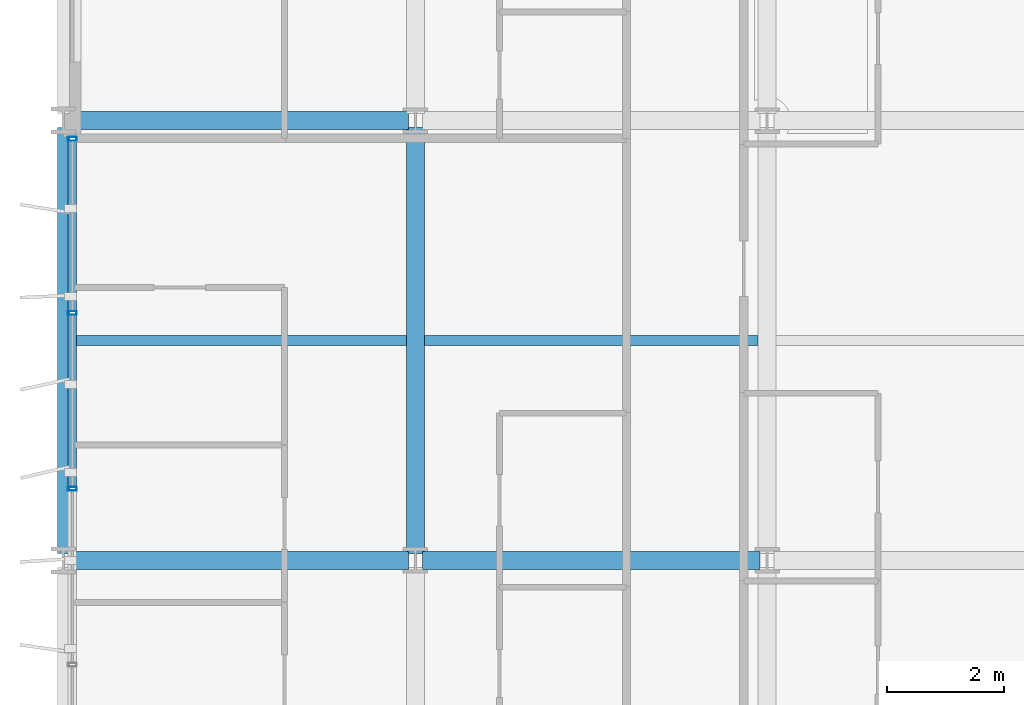
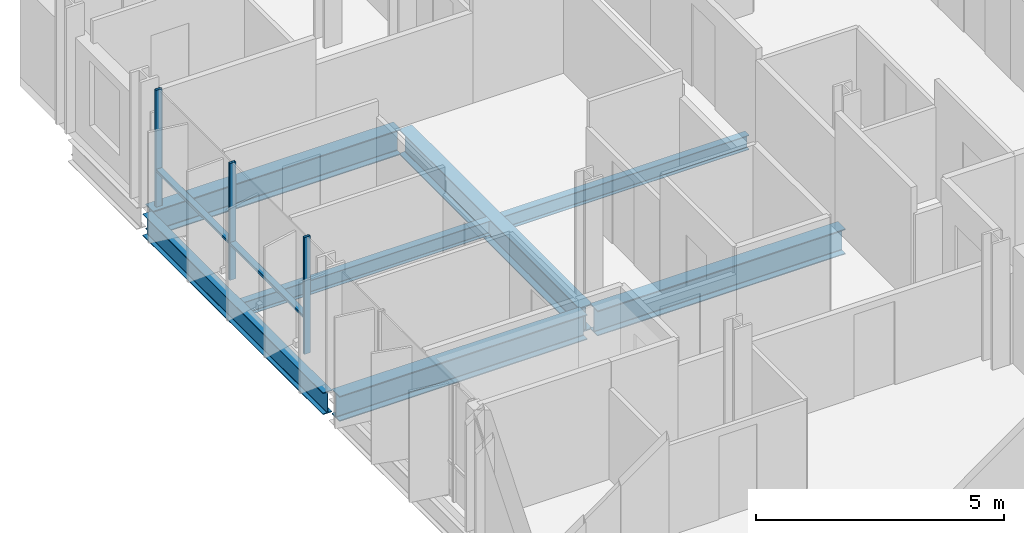
# One storey, part 5 of 38: 7 beams, 5 members, 1 element without a shape of its own.
"""IFC4 building model written with IfcOpenShell, lengths in metres."""

from ifc_helpers import new_model, si_unit, direction, frame, origin, origin_2d, place, context, subcontext, project, spatial, hollow_rectangle, i_section, extrude, material, layer, layer_set, material_profile, profile_set, type_object, element, aggregate, save


model = new_model("IFC4")

# Units and contexts
model_context = context("Model", 3, precision=1e-05, world=origin(), true_north=direction((0.0, 1.0)))
body_context = subcontext(model_context, "Body", "Model", "MODEL_VIEW")
ifc_project = project(units=[si_unit("LENGTHUNIT", "METRE"), si_unit("AREAUNIT", "SQUARE_METRE"), si_unit("VOLUMEUNIT", "CUBIC_METRE"), si_unit("PLANEANGLEUNIT", "RADIAN"), si_unit("MASSUNIT", "GRAM", prefix="KILO")], contexts=[model_context])

# Site, building, storey
site_placement = place(None, origin())
site = spatial("IfcSite", under=ifc_project, at=site_placement, CompositionType="ELEMENT")
building_placement = place(site_placement, origin())
building = spatial("IfcBuilding", under=site, at=building_placement, Name="Brevholm Reach", CompositionType="ELEMENT")
storey_placement = place(building_placement, frame((0.0, 0.0, 71.39990234375)))
storey = spatial("IfcBuildingStorey", under=building, at=storey_placement, Name="L20", CompositionType="ELEMENT", Elevation=71.39990234375)

# Beams
ifc_material_1 = material(Name="Structural Steel S355J2", Category="steel")
ifc_material_profile_1 = material_profile(ifc_material_1, i_section(OverallWidth=0.17138671875, OverallDepth=0.35498046875, WebThickness=0.00732421875, FlangeThickness=0.011474609375, FilletRadius=0.01025390625, at=origin_2d()), Name="UKB 356x171x51")
ifc_profile_set_1 = profile_set([ifc_material_profile_1], Name="Structural Steel S355J2")
beam_type_1 = type_object("IfcBeamType", Name="BM-B356", PredefinedType="BEAM", material=ifc_profile_set_1)
beam_1_placement = place(storey_placement, frame((0.10546875, 19.75, -0.407470703125), z_axis=(1.0, 0.0, 0.0), x_axis=(0.0, 1.0, 0.0)))
element("IfcBeam", 1, at=beam_1_placement, inside=storey, type_object=beam_type_1, Name="L20 Composite Secondary Floor Beam", PredefinedType="BEAM", context=body_context, shape_type="SweptSolid", body=[
    extrude(i_section(OverallWidth=0.17138671875, OverallDepth=0.35498046875, WebThickness=0.00732421875, FlangeThickness=0.011474609375, FilletRadius=0.01025390625, at=origin_2d()), origin(), (0.0, 0.0, 1.0), 5.740966796875),
])
beam_2_placement = place(storey_placement, frame((6.153564453125, 19.75, -0.407470703125), z_axis=(1.0, 0.0, 0.0), x_axis=(0.0, 1.0, 0.0)))
element("IfcBeam", 2, at=beam_2_placement, inside=storey, type_object=beam_type_1, Name="L20 Composite Secondary Floor Beam", PredefinedType="BEAM", context=body_context, shape_type="SweptSolid", body=[
    extrude(i_section(OverallWidth=0.17138671875, OverallDepth=0.35498046875, WebThickness=0.00732421875, FlangeThickness=0.011474609375, FilletRadius=0.01025390625, at=origin_2d()), origin(), (0.0, 0.0, 1.0), 5.69287109375),
])
ifc_material_2 = material(Name="Structural Steel S355J2", Category="steel")
ifc_material_profile_2 = material_profile(ifc_material_2, i_section(OverallWidth=0.210693359375, OverallDepth=0.53955078125, WebThickness=0.01171875, FlangeThickness=0.018798828125, FilletRadius=0.0126953125, at=origin_2d()), Name="UKB 533x210x109")
ifc_profile_set_2 = profile_set([ifc_material_profile_2], Name="Structural Steel S355J2")
beam_type_2 = type_object("IfcBeamType", Name="BM-SP539", PredefinedType="SPANDREL", material=ifc_profile_set_2)
beam_3_placement = place(storey_placement, frame((0.0, 16.1201171875, -0.499755859375), z_axis=(0.0, 1.0, 0.0), x_axis=(-1.0, 0.0, 0.0)))
element("IfcBeam", 3, at=beam_3_placement, inside=storey, type_object=beam_type_2, Name="L20 SP-01B Framing Beam", PredefinedType="SPANDREL", context=body_context, shape_type="SweptSolid", body=[
    extrude(i_section(OverallWidth=0.210693359375, OverallDepth=0.53955078125, WebThickness=0.01171875, FlangeThickness=0.018798828125, FilletRadius=0.0126953125, at=origin_2d()), origin(), (0.0, 0.0, 1.0), 7.259765625),
])
ifc_material_3 = material(Name="Structural Steel S355J2", Category="steel")
ifc_material_profile_3 = material_profile(ifc_material_3, i_section(OverallWidth=0.30712890625, OverallDepth=0.6201171875, WebThickness=0.01416015625, FlangeThickness=0.023681640625, FilletRadius=0.0166015625, at=origin_2d()), Name="UKB 610x305x179")
ifc_profile_set_3 = profile_set([ifc_material_profile_3], Name="Structural Steel S355J2")
beam_type_3 = type_object("IfcBeamType", Name="BM-UKB610H", PredefinedType="USERDEFINED", material=ifc_profile_set_3)
for number, where, z_axis, x_axis, name in (
    (4, (0.1201171875, 16.0, -0.5400390625), (1.0, 0.0, 0.0), (0.0, 1.0, 0.0), "L20 G-06 Framing Beam"),
    (5, (6.1201171875, 16.0, -0.5400390625), (1.0, 0.0, 0.0), (0.0, 1.0, 0.0), "L20 G-06 Framing Beam"),
    (6, (0.1201171875, 23.5, -0.5400390625), (1.0, 0.0, 0.0), (0.0, 1.0, 0.0), "L20 G-06 Framing Beam"),
):
    element("IfcBeam", number, at=place(storey_placement, frame(where, z_axis=z_axis, x_axis=x_axis)), inside=storey, type_object=beam_type_3, Name=name, ObjectType="GIRDER", PredefinedType="USERDEFINED", context=body_context, shape_type="SweptSolid", body=[
        extrude(i_section(OverallWidth=0.30712890625, OverallDepth=0.6201171875, WebThickness=0.01416015625, FlangeThickness=0.023681640625, FilletRadius=0.0166015625, at=origin_2d()), origin(), (0.0, 0.0, 1.0), 5.759765625),
    ])
beam_4_placement = place(storey_placement, frame((6.0, 16.1201171875, -0.5400390625), z_axis=(0.0, 1.0, 0.0), x_axis=(-1.0, 0.0, 0.0)))
element("IfcBeam", 7, at=beam_4_placement, inside=storey, type_object=beam_type_3, Name="L20 G-06 Framing Beam", ObjectType="GIRDER", PredefinedType="USERDEFINED", context=body_context, shape_type="SweptSolid", body=[
    extrude(i_section(OverallWidth=0.30712890625, OverallDepth=0.6201171875, WebThickness=0.01416015625, FlangeThickness=0.023681640625, FilletRadius=0.0166015625, at=origin_2d()), origin(), (0.0, 0.0, 1.0), 7.259765625),
])

# Curtain wall, members
ifc_material_4 = material(Name="Dark Anodised Aluminium 6063-T6 and Solar-Control Glass", Category="aluminium")
ifc_layer = layer(ifc_material_4, 0.14990234375)
ifc_layer_set = layer_set([ifc_layer], Name="Dark Anodised Aluminium 6063-T6 and Solar-Control Glass")
curtain_wall_type = type_object("IfcCurtainWallType", Name="CW-01", PredefinedType="NOTDEFINED", material=ifc_layer_set)
curtain_wall_placement = place(storey_placement, origin())
curtain_wall = element("IfcCurtainWall", 8, at=curtain_wall_placement, inside=storey, type_object=curtain_wall_type, Name="L20 Curtain Wall CW-01", PredefinedType="NOTDEFINED")
ifc_material_5 = material(Name="Dark Anodised Aluminium 6063-T6", Category="aluminium")
ifc_material_profile_4 = material_profile(ifc_material_5, hollow_rectangle(XDim=0.06494140625, YDim=0.14990234375, WallThickness=0.0048828125, InnerFilletRadius=0.0048828125, OuterFilletRadius=0.010009765625, at=origin_2d()), Name="RHS 150x65x5")
ifc_profile_set_4 = profile_set([ifc_material_profile_4], Name="Dark Anodised Aluminium 6063-T6")
member_type_1 = type_object("IfcMemberType", Name="CWM-150", PredefinedType="MULLION", material=ifc_profile_set_4)
member_1_placement = place(storey_placement, frame((0.14990234375, 23.1875, 0.0), z_axis=(0.0, 0.0, 1.0), x_axis=(0.0, -1.0, 0.0)))
member_1 = element("IfcMember", 9, at=member_1_placement, type_object=member_type_1, Name="CM-150 Mullion 1", PredefinedType="MULLION", context=body_context, shape_type="SweptSolid", body=[
    extrude(hollow_rectangle(XDim=0.06494140625, YDim=0.14990234375, WallThickness=0.0048828125, InnerFilletRadius=0.0048828125, OuterFilletRadius=0.010009765625, at=origin_2d()), origin(), (0.0, 0.0, 1.0), 2.8701171875),
])
member_2_placement = place(storey_placement, frame((0.14990234375, 20.219970703125, 0.0), z_axis=(0.0, 0.0, 1.0), x_axis=(0.0, -1.0, 0.0)))
member_2 = element("IfcMember", 10, at=member_2_placement, type_object=member_type_1, Name="CM-150 Mullion 2", PredefinedType="MULLION", context=body_context, shape_type="SweptSolid", body=[
    extrude(hollow_rectangle(XDim=0.06494140625, YDim=0.14990234375, WallThickness=0.0048828125, InnerFilletRadius=0.0048828125, OuterFilletRadius=0.010009765625, at=origin_2d()), origin(), (0.0, 0.0, 1.0), 2.8701171875),
])
member_3_placement = place(storey_placement, frame((0.14990234375, 17.219970703125, 0.0), z_axis=(0.0, 0.0, 1.0), x_axis=(0.0, -1.0, 0.0)))
member_3 = element("IfcMember", 11, at=member_3_placement, type_object=member_type_1, Name="CM-150 Mullion 3", PredefinedType="MULLION", context=body_context, shape_type="SweptSolid", body=[
    extrude(hollow_rectangle(XDim=0.06494140625, YDim=0.14990234375, WallThickness=0.0048828125, InnerFilletRadius=0.0048828125, OuterFilletRadius=0.010009765625, at=origin_2d()), origin(), (0.0, 0.0, 1.0), 2.8701171875),
])
ifc_material_6 = material(Name="Dark Anodised Aluminium 6063-T6", Category="aluminium")
ifc_material_profile_5 = material_profile(ifc_material_6, hollow_rectangle(XDim=0.06494140625, YDim=0.14990234375, WallThickness=0.0048828125, InnerFilletRadius=0.0048828125, OuterFilletRadius=0.010009765625, at=origin_2d()), Name="RHS 150x65x5")
ifc_profile_set_5 = profile_set([ifc_material_profile_5], Name="Dark Anodised Aluminium 6063-T6")
member_type_2 = type_object("IfcMemberType", Name="CWT-150", PredefinedType="NOTDEFINED", material=ifc_profile_set_5)
member_4_placement = place(storey_placement, frame((0.14990234375, 23.155029296875, 0.900146484375), z_axis=(0.0, -1.0, 0.0), x_axis=(0.0, 0.0, 1.0)))
member_4 = element("IfcMember", 12, at=member_4_placement, type_object=member_type_2, Name="CT-150 Transom 1.1", ObjectType="TRANSOM", PredefinedType="USERDEFINED", context=body_context, shape_type="SweptSolid", body=[
    extrude(hollow_rectangle(XDim=0.06494140625, YDim=0.14990234375, WallThickness=0.0048828125, InnerFilletRadius=0.0048828125, OuterFilletRadius=0.010009765625, at=origin_2d()), origin(), (0.0, 0.0, 1.0), 2.902587890625),
])
member_5_placement = place(storey_placement, frame((0.14990234375, 20.1875, 0.900146484375), z_axis=(0.0, -1.0, 0.0), x_axis=(0.0, 0.0, 1.0)))
member_5 = element("IfcMember", 13, at=member_5_placement, type_object=member_type_2, Name="CT-150 Transom 2.1", ObjectType="TRANSOM", PredefinedType="USERDEFINED", context=body_context, shape_type="SweptSolid", body=[
    extrude(hollow_rectangle(XDim=0.06494140625, YDim=0.14990234375, WallThickness=0.0048828125, InnerFilletRadius=0.0048828125, OuterFilletRadius=0.010009765625, at=origin_2d()), origin(), (0.0, 0.0, 1.0), 2.93505859375),
])
aggregate(curtain_wall, [member_1, member_2, member_3, member_4, member_5])

save(model, "model.ifc")
